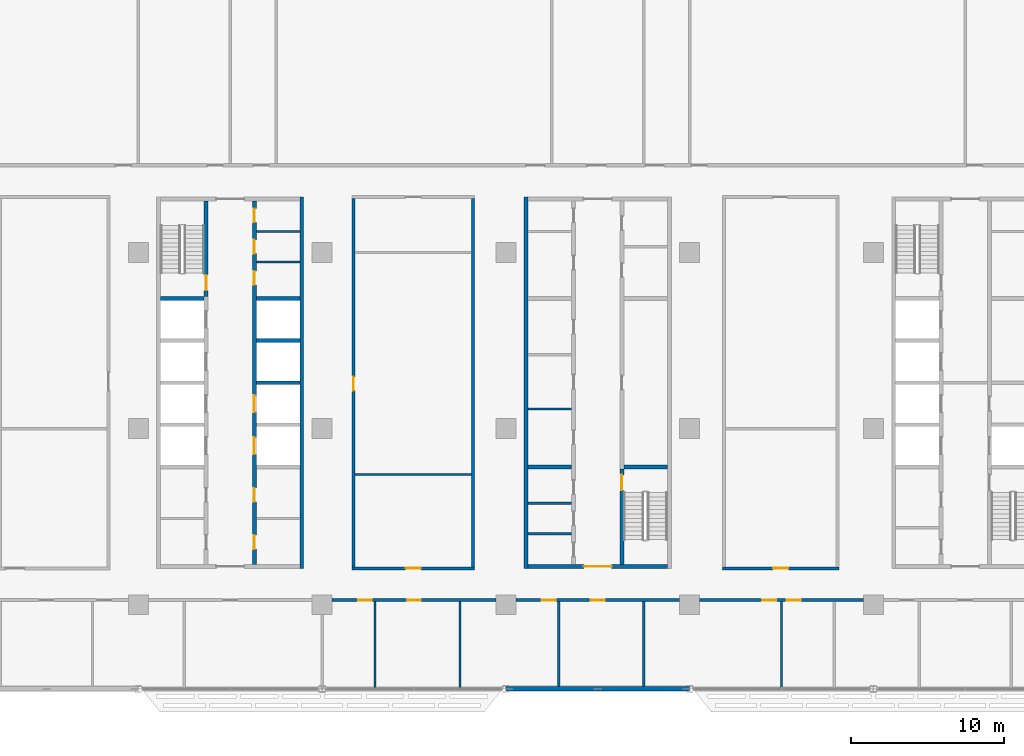
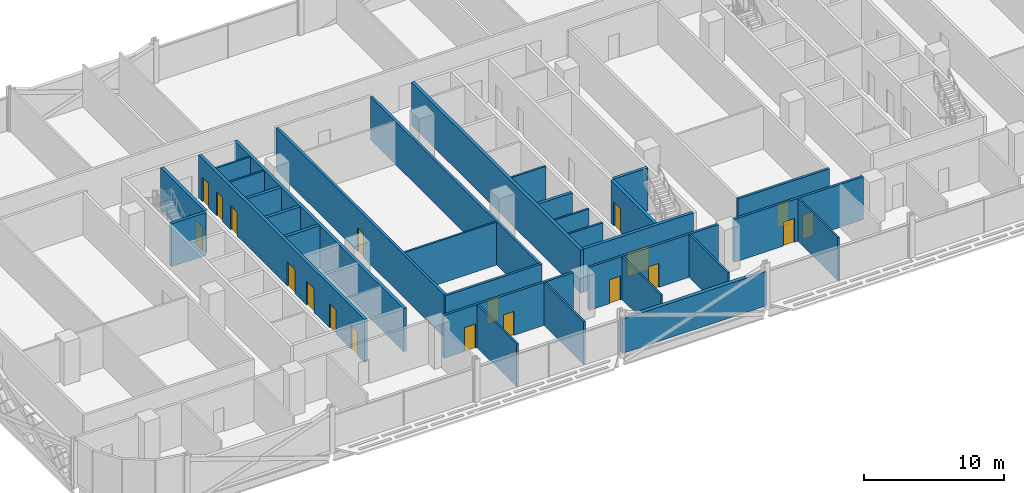
# One storey, part 14 of 29: 31 walls, 19 doors, 19 openings.
"""IFC4 building model written with IfcOpenShell, lengths in metres."""

from ifc_helpers import new_model, si_unit, direction, frame, frame_2d, origin, place, context, subcontext, project, spatial, rectangle, extrude, material, layer, layer_set, type_object, element, fill, save


model = new_model("IFC4")

# Units and contexts
model_context = context("Model", 3, precision=1e-05, world=origin(), true_north=direction((0.0, 1.0)))
body_context = subcontext(model_context, "Body", "Model", "MODEL_VIEW")
ifc_project = project(units=[si_unit("LENGTHUNIT", "METRE"), si_unit("AREAUNIT", "SQUARE_METRE"), si_unit("VOLUMEUNIT", "CUBIC_METRE"), si_unit("PLANEANGLEUNIT", "RADIAN"), si_unit("MASSUNIT", "GRAM", prefix="KILO")], contexts=[model_context])

# Site, building, storey
site_placement = place(None, origin())
site = spatial("IfcSite", under=ifc_project, at=site_placement, CompositionType="ELEMENT")
building_placement = place(site_placement, origin())
building = spatial("IfcBuilding", under=site, at=building_placement, Name="Mahtab Terrace Research Tower", CompositionType="ELEMENT")
storey_placement = place(building_placement, frame((0.0, 0.0, 146.60009765625)))
storey = spatial("IfcBuildingStorey", under=building, at=storey_placement, Name="L34", CompositionType="ELEMENT", Elevation=146.60009765625)

# Walls
ifc_material_1 = material(Name="Gypsum board partition")
ifc_layer_1 = layer(ifc_material_1, 0.14990234375)
ifc_layer_set_1 = layer_set([ifc_layer_1], Name="Core partition 150")
wall_type_1 = type_object("IfcWallType", Name="Core partition 150", PredefinedType="PARTITIONING", material=ifc_layer_set_1)
for number, where, z_axis, x_axis, name in (
    (1, (-22.300048828125, 10.875, 0.0), (0.0, 0.0, 1.0), (1.0, 0.0, 0.0), "Core wall A pEN788"),
    (2, (-22.300048828125, 12.875, 0.0), (0.0, 0.0, 1.0), (1.0, 0.0, 0.0), "Core wall A pEN988"),
    (3, (-4.550048828125, 1.280029296875, 0.0), (0.0, 0.0, 1.0), (1.0, 0.0, 0.0), "Core wall B pWL-172"),
    (4, (-4.550048828125, -6.875, 0.0), (0.0, 0.0, 1.0), (1.0, 0.0, 0.0), "Core wall B pWS-988"),
    (5, (-4.550048828125, -4.875, 0.0), (0.0, 0.0, 1.0), (1.0, 0.0, 0.0), "Core wall B pWS-788"),
):
    element("IfcWall", number, at=place(storey_placement, frame(where, z_axis=z_axis, x_axis=x_axis)), inside=storey, type_object=wall_type_1, Name=name, PredefinedType="PARTITIONING", context=body_context, shape_type="SweptSolid", body=[
        extrude(rectangle(XDim=2.85009765625, YDim=0.14990234375, at=frame_2d((1.425048828125, 0.0))), origin(), (0.0, 0.0, 1.0), 3.760009765625),
    ])
ifc_material_2 = material(Name="Concrete C70/85", Category="concrete")
ifc_layer_2 = layer(ifc_material_2, 0.25)
ifc_layer_set_2 = layer_set([ifc_layer_2], Name="Core wall 250")
wall_type_2 = type_object("IfcWallType", Name="Core wall 250", PredefinedType="SOLIDWALL", material=ifc_layer_set_2)
wall_1_placement = place(storey_placement, frame((-19.324951171875, -9.125, 0.0), z_axis=(0.0, 0.0, 1.0), x_axis=(0.0, 1.0, 0.0)))
element("IfcWall", 6, at=wall_1_placement, inside=storey, type_object=wall_type_2, Name="Core wall A outerE", PredefinedType="SOLIDWALL", context=body_context, shape_type="SweptSolid", body=[
    extrude(rectangle(XDim=24.25, YDim=0.25, at=frame_2d((12.125, 0.0))), origin(), (0.0, 0.0, 1.0), 3.760009765625),
])

# Wall, opening, door
wall_2_placement = place(storey_placement, frame((-25.574951171875, 14.875, 0.0), z_axis=(0.0, 0.0, 1.0), x_axis=(0.0, -1.0, 0.0)))
wall_2 = element("IfcWall", 7, at=wall_2_placement, inside=storey, type_object=wall_type_2, Name="Core wall A innerWN", PredefinedType="SOLIDWALL", context=body_context, shape_type="SweptSolid", body=[
    extrude(rectangle(XDim=6.25, YDim=0.25, at=frame_2d((3.125, 0.0))), origin(), (0.0, 0.0, 1.0), 3.760009765625),
])
opening_1_placement = place(wall_2_placement, frame((4.85009765625, 0.0, 0.0)))
opening_1 = element("IfcOpeningElement", 8, at=opening_1_placement, cuts=wall_2, Name="Opening A-ST1", PredefinedType="OPENING", context=body_context, shape_type="SweptSolid", body=[
    extrude(rectangle(XDim=1.0, YDim=2.10009765625, at=frame_2d((0.5, 1.050048828125))), frame((0.0, 0.135009765625, 0.0), z_axis=(0.0, -1.0, 0.0), x_axis=(1.0, 0.0, 0.0)), (0.0, 0.0, 1.0), 0.27001953125),
])
ifc_material_3 = material(Name="Steel fire door", Category="steel")
door_type_1 = type_object("IfcDoorType", Name="Stair door 1000x2100 1.5 HR", OperationType="NOTDEFINED", PredefinedType="DOOR", material=ifc_material_3)
door_1_placement = place(opening_1_placement, origin())
door_1 = element("IfcDoor", 9, at=door_1_placement, inside=storey, type_object=door_type_1, Name="Stair door ST1 L34", OperationType="SINGLE_SWING_RIGHT", OverallHeight=2.10009765625, OverallWidth=1.0, PredefinedType="DOOR", context=body_context, shape_type="SweptSolid", body=[
    extrude(rectangle(XDim=1.0, YDim=2.10009765625, at=frame_2d((0.5, 1.050048828125))), frame((0.0, 0.02490234375, 0.0), z_axis=(0.0, -1.0, 0.0), x_axis=(1.0, 0.0, 0.0)), (0.0, 0.0, 1.0), 0.050048828125),
])
fill(opening_1, door_1)

# Wall, openings, doors
wall_3_placement = place(storey_placement, frame((-22.425048828125, 14.875, 0.0), z_axis=(0.0, 0.0, 1.0), x_axis=(0.0, -1.0, 0.0)))
wall_3 = element("IfcWall", 10, at=wall_3_placement, inside=storey, type_object=wall_type_2, Name="Core wall A innerESLN", PredefinedType="SOLIDWALL", context=body_context, shape_type="SweptSolid", body=[
    extrude(rectangle(XDim=23.75, YDim=0.25, at=frame_2d((11.875, 0.0))), origin(), (0.0, 0.0, 1.0), 3.760009765625),
])
opening_2_placement = place(wall_3_placement, frame((15.449951171875, 0.0, 0.0)))
opening_2 = element("IfcOpeningElement", 11, at=opening_2_placement, cuts=wall_3, Name="Opening LD05-L34", PredefinedType="OPENING", context=body_context, shape_type="SweptSolid", body=[
    extrude(rectangle(XDim=1.10009765625, YDim=2.10009765625, at=frame_2d((0.550048828125, 1.050048828125))), frame((0.0, 0.135009765625, 0.0), z_axis=(0.0, -1.0, 0.0), x_axis=(1.0, 0.0, 0.0)), (0.0, 0.0, 1.0), 0.27001953125),
])
opening_3_placement = place(wall_3_placement, frame((12.699951171875, 0.0, 0.0)))
opening_3 = element("IfcOpeningElement", 12, at=opening_3_placement, cuts=wall_3, Name="Opening LD06-L34", PredefinedType="OPENING", context=body_context, shape_type="SweptSolid", body=[
    extrude(rectangle(XDim=1.10009765625, YDim=2.10009765625, at=frame_2d((0.550048828125, 1.050048828125))), frame((0.0, 0.135009765625, 0.0), z_axis=(0.0, -1.0, 0.0), x_axis=(1.0, 0.0, 0.0)), (0.0, 0.0, 1.0), 0.27001953125),
])
opening_4_placement = place(wall_3_placement, frame((21.83740234375, 0.0, 0.0)))
opening_4 = element("IfcOpeningElement", 13, at=opening_4_placement, cuts=wall_3, Name="Opening A-R3", PredefinedType="OPENING", context=body_context, shape_type="SweptSolid", body=[
    extrude(rectangle(XDim=0.89990234375, YDim=2.10009765625, at=frame_2d((0.449951171875, 1.050048828125))), frame((0.0, 0.135009765625, 0.0), z_axis=(0.0, -1.0, 0.0), x_axis=(1.0, 0.0, 0.0)), (0.0, 0.0, 1.0), 0.27001953125),
])
opening_5_placement = place(wall_3_placement, frame((18.762451171875, 0.0, 0.0)))
opening_5 = element("IfcOpeningElement", 14, at=opening_5_placement, cuts=wall_3, Name="Opening A-R4", PredefinedType="OPENING", context=body_context, shape_type="SweptSolid", body=[
    extrude(rectangle(XDim=0.89990234375, YDim=2.10009765625, at=frame_2d((0.449951171875, 1.050048828125))), frame((0.0, 0.135009765625, 0.0), z_axis=(0.0, -1.0, 0.0), x_axis=(1.0, 0.0, 0.0)), (0.0, 0.0, 1.0), 0.27001953125),
])
opening_6_placement = place(wall_3_placement, frame((4.58740234375, 0.0, 0.0)))
opening_6 = element("IfcOpeningElement", 15, at=opening_6_placement, cuts=wall_3, Name="Opening A-R5", PredefinedType="OPENING", context=body_context, shape_type="SweptSolid", body=[
    extrude(rectangle(XDim=0.89990234375, YDim=2.10009765625, at=frame_2d((0.449951171875, 1.050048828125))), frame((0.0, 0.135009765625, 0.0), z_axis=(0.0, -1.0, 0.0), x_axis=(1.0, 0.0, 0.0)), (0.0, 0.0, 1.0), 0.27001953125),
])
opening_7_placement = place(wall_3_placement, frame((2.550048828125, 0.0, 0.0)))
opening_7 = element("IfcOpeningElement", 16, at=opening_7_placement, cuts=wall_3, Name="Opening A-R6", PredefinedType="OPENING", context=body_context, shape_type="SweptSolid", body=[
    extrude(rectangle(XDim=0.89990234375, YDim=2.10009765625, at=frame_2d((0.449951171875, 1.050048828125))), frame((0.0, 0.135009765625, 0.0), z_axis=(0.0, -1.0, 0.0), x_axis=(1.0, 0.0, 0.0)), (0.0, 0.0, 1.0), 0.27001953125),
])
opening_8_placement = place(wall_3_placement, frame((0.512451171875, 0.0, 0.0)))
opening_8 = element("IfcOpeningElement", 17, at=opening_8_placement, cuts=wall_3, Name="Opening A-R7", PredefinedType="OPENING", context=body_context, shape_type="SweptSolid", body=[
    extrude(rectangle(XDim=0.89990234375, YDim=2.10009765625, at=frame_2d((0.449951171875, 1.050048828125))), frame((0.0, 0.135009765625, 0.0), z_axis=(0.0, -1.0, 0.0), x_axis=(1.0, 0.0, 0.0)), (0.0, 0.0, 1.0), 0.27001953125),
])
ifc_material_4 = material(Name="Stainless steel AISI 304", Category="steel")
door_type_2 = type_object("IfcDoorType", Name="Landing door 1100x2100", OperationType="DOUBLE_DOOR_SLIDING", PredefinedType="DOOR", material=ifc_material_4)
door_2_placement = place(opening_2_placement, origin())
door_2 = element("IfcDoor", 18, at=door_2_placement, inside=storey, type_object=door_type_2, Name="Landing door LR5 L34", OperationType="DOUBLE_DOOR_SLIDING", OverallHeight=2.10009765625, OverallWidth=1.10009765625, PredefinedType="DOOR", context=body_context, shape_type="SweptSolid", body=[
    extrude(rectangle(XDim=1.10009765625, YDim=2.10009765625, at=frame_2d((0.550048828125, 1.050048828125))), frame((0.0, 0.02490234375, 0.0), z_axis=(0.0, -1.0, 0.0), x_axis=(1.0, 0.0, 0.0)), (0.0, 0.0, 1.0), 0.050048828125),
])
fill(opening_2, door_2)
door_3_placement = place(opening_3_placement, origin())
door_3 = element("IfcDoor", 19, at=door_3_placement, inside=storey, type_object=door_type_2, Name="Landing door LR6 L34", OperationType="DOUBLE_DOOR_SLIDING", OverallHeight=2.10009765625, OverallWidth=1.10009765625, PredefinedType="DOOR", context=body_context, shape_type="SweptSolid", body=[
    extrude(rectangle(XDim=1.10009765625, YDim=2.10009765625, at=frame_2d((0.550048828125, 1.050048828125))), frame((0.0, 0.02490234375, 0.0), z_axis=(0.0, -1.0, 0.0), x_axis=(1.0, 0.0, 0.0)), (0.0, 0.0, 1.0), 0.050048828125),
])
fill(opening_3, door_3)
door_type_3 = type_object("IfcDoorType", Name="Room door 900x2100 1 HR", OperationType="NOTDEFINED", PredefinedType="DOOR", material=ifc_material_3)
door_4_placement = place(opening_4_placement, origin())
door_4 = element("IfcDoor", 20, at=door_4_placement, inside=storey, type_object=door_type_3, Name="Housekeeping store door", OperationType="SINGLE_SWING_LEFT", OverallHeight=2.10009765625, OverallWidth=0.89990234375, PredefinedType="DOOR", context=body_context, shape_type="SweptSolid", body=[
    extrude(rectangle(XDim=0.89990234375, YDim=2.10009765625, at=frame_2d((0.449951171875, 1.050048828125))), frame((0.0, 0.02490234375, 0.0), z_axis=(0.0, -1.0, 0.0), x_axis=(1.0, 0.0, 0.0)), (0.0, 0.0, 1.0), 0.050048828125),
])
fill(opening_4, door_4)
door_5_placement = place(opening_5_placement, origin())
door_5 = element("IfcDoor", 21, at=door_5_placement, inside=storey, type_object=door_type_3, Name="Electrical riser room door", OperationType="SINGLE_SWING_RIGHT", OverallHeight=2.10009765625, OverallWidth=0.89990234375, PredefinedType="DOOR", context=body_context, shape_type="SweptSolid", body=[
    extrude(rectangle(XDim=0.89990234375, YDim=2.10009765625, at=frame_2d((0.449951171875, 1.050048828125))), frame((0.0, 0.02490234375, 0.0), z_axis=(0.0, -1.0, 0.0), x_axis=(1.0, 0.0, 0.0)), (0.0, 0.0, 1.0), 0.050048828125),
])
fill(opening_5, door_5)
door_6_placement = place(opening_6_placement, origin())
door_6 = element("IfcDoor", 22, at=door_6_placement, inside=storey, type_object=door_type_3, Name="Comms riser room door", OperationType="SINGLE_SWING_LEFT", OverallHeight=2.10009765625, OverallWidth=0.89990234375, PredefinedType="DOOR", context=body_context, shape_type="SweptSolid", body=[
    extrude(rectangle(XDim=0.89990234375, YDim=2.10009765625, at=frame_2d((0.449951171875, 1.050048828125))), frame((0.0, 0.02490234375, 0.0), z_axis=(0.0, -1.0, 0.0), x_axis=(1.0, 0.0, 0.0)), (0.0, 0.0, 1.0), 0.050048828125),
])
fill(opening_6, door_6)
door_7_placement = place(opening_7_placement, origin())
door_7 = element("IfcDoor", 23, at=door_7_placement, inside=storey, type_object=door_type_3, Name="Pantry door", OperationType="SINGLE_SWING_RIGHT", OverallHeight=2.10009765625, OverallWidth=0.89990234375, PredefinedType="DOOR", context=body_context, shape_type="SweptSolid", body=[
    extrude(rectangle(XDim=0.89990234375, YDim=2.10009765625, at=frame_2d((0.449951171875, 1.050048828125))), frame((0.0, 0.02490234375, 0.0), z_axis=(0.0, -1.0, 0.0), x_axis=(1.0, 0.0, 0.0)), (0.0, 0.0, 1.0), 0.050048828125),
])
fill(opening_7, door_7)
door_8_placement = place(opening_8_placement, origin())
door_8 = element("IfcDoor", 24, at=door_8_placement, inside=storey, type_object=door_type_3, Name="Cleaners store door", OperationType="SINGLE_SWING_LEFT", OverallHeight=2.10009765625, OverallWidth=0.89990234375, PredefinedType="DOOR", context=body_context, shape_type="SweptSolid", body=[
    extrude(rectangle(XDim=0.89990234375, YDim=2.10009765625, at=frame_2d((0.449951171875, 1.050048828125))), frame((0.0, 0.02490234375, 0.0), z_axis=(0.0, -1.0, 0.0), x_axis=(1.0, 0.0, 0.0)), (0.0, 0.0, 1.0), 0.050048828125),
])
fill(opening_8, door_8)

# Walls
for number, where, z_axis, x_axis, name in (
    (25, (-28.550048828125, 8.5, 0.0), (0.0, 0.0, 1.0), (1.0, 0.0, 0.0), "Core wall A divW4"),
    (26, (-22.300048828125, 3.0, 0.0), (0.0, 0.0, 1.0), (1.0, 0.0, 0.0), "Core wall A divE2"),
    (27, (-22.300048828125, 5.75, 0.0), (0.0, 0.0, 1.0), (1.0, 0.0, 0.0), "Core wall A divE3"),
    (28, (-22.300048828125, 8.5, 0.0), (0.0, 0.0, 1.0), (1.0, 0.0, 0.0), "Core wall A divE4"),
):
    element("IfcWall", number, at=place(storey_placement, frame(where, z_axis=z_axis, x_axis=x_axis)), inside=storey, type_object=wall_type_2, Name=name, PredefinedType="SOLIDWALL", context=body_context, shape_type="SweptSolid", body=[
        extrude(rectangle(XDim=2.85009765625, YDim=0.25, at=frame_2d((1.425048828125, 0.0))), origin(), (0.0, 0.0, 1.0), 3.760009765625),
    ])
wall_4_placement = place(storey_placement, frame((-4.675048828125, 15.125, 0.0), z_axis=(0.0, 0.0, 1.0), x_axis=(0.0, -1.0, 0.0)))
element("IfcWall", 29, at=wall_4_placement, inside=storey, type_object=wall_type_2, Name="Core wall B outerW", PredefinedType="SOLIDWALL", context=body_context, shape_type="SweptSolid", body=[
    extrude(rectangle(XDim=24.25, YDim=0.25, at=frame_2d((12.125, 0.0))), origin(), (0.0, 0.0, 1.0), 3.760009765625),
])

# Wall, opening, door
wall_5_placement = place(storey_placement, frame((4.550048828125, -9.0, 0.0), z_axis=(0.0, 0.0, 1.0), x_axis=(-1.0, 0.0, 0.0)))
wall_5 = element("IfcWall", 30, at=wall_5_placement, inside=storey, type_object=wall_type_2, Name="Core wall B endS", PredefinedType="SOLIDWALL", context=body_context, shape_type="SweptSolid", body=[
    extrude(rectangle(XDim=9.10009765625, YDim=0.25, at=frame_2d((4.550048828125, 0.0))), origin(), (0.0, 0.0, 1.0), 3.760009765625),
])
opening_9_placement = place(wall_5_placement, frame((3.64990234375, 0.0, 0.0)))
opening_9 = element("IfcOpeningElement", 31, at=opening_9_placement, cuts=wall_5, Name="Opening B-S1", PredefinedType="OPENING", context=body_context, shape_type="SweptSolid", body=[
    extrude(rectangle(XDim=1.800048828125, YDim=2.10009765625, at=frame_2d((0.89990234375, 1.050048828125))), frame((0.0, 0.135009765625, 0.0), z_axis=(0.0, -1.0, 0.0), x_axis=(1.0, 0.0, 0.0)), (0.0, 0.0, 1.0), 0.27001953125),
])
door_type_4 = type_object("IfcDoorType", Name="Lobby double door 1800x2100 1 HR", OperationType="DOUBLE_DOOR_SINGLE_SWING", PredefinedType="DOOR", material=ifc_material_3)
door_9_placement = place(opening_9_placement, origin())
door_9 = element("IfcDoor", 32, at=door_9_placement, inside=storey, type_object=door_type_4, Name="Core entrance door B S", OperationType="DOUBLE_DOOR_SINGLE_SWING", OverallHeight=2.10009765625, OverallWidth=1.800048828125, PredefinedType="DOOR", context=body_context, shape_type="SweptSolid", body=[
    extrude(rectangle(XDim=1.800048828125, YDim=2.10009765625, at=frame_2d((0.89990234375, 1.050048828125))), frame((0.0, 0.02490234375, 0.0), z_axis=(0.0, -1.0, 0.0), x_axis=(1.0, 0.0, 0.0)), (0.0, 0.0, 1.0), 0.050048828125),
])
fill(opening_9, door_9)

wall_6_placement = place(storey_placement, frame((1.574951171875, -8.875, 0.0), z_axis=(0.0, 0.0, 1.0), x_axis=(0.0, 1.0, 0.0)))
wall_6 = element("IfcWall", 33, at=wall_6_placement, inside=storey, type_object=wall_type_2, Name="Core wall B innerES", PredefinedType="SOLIDWALL", context=body_context, shape_type="SweptSolid", body=[
    extrude(rectangle(XDim=6.25, YDim=0.25, at=frame_2d((3.125, 0.0))), origin(), (0.0, 0.0, 1.0), 3.760009765625),
])
opening_10_placement = place(wall_6_placement, frame((4.85009765625, 0.0, 0.0)))
opening_10 = element("IfcOpeningElement", 34, at=opening_10_placement, cuts=wall_6, Name="Opening B-ST2", PredefinedType="OPENING", context=body_context, shape_type="SweptSolid", body=[
    extrude(rectangle(XDim=1.0, YDim=2.10009765625, at=frame_2d((0.5, 1.050048828125))), frame((0.0, 0.135009765625, 0.0), z_axis=(0.0, -1.0, 0.0), x_axis=(1.0, 0.0, 0.0)), (0.0, 0.0, 1.0), 0.27001953125),
])
door_10_placement = place(opening_10_placement, origin())
door_10 = element("IfcDoor", 35, at=door_10_placement, inside=storey, type_object=door_type_1, Name="Stair door ST2 L34", OperationType="SINGLE_SWING_RIGHT", OverallHeight=2.10009765625, OverallWidth=1.0, PredefinedType="DOOR", context=body_context, shape_type="SweptSolid", body=[
    extrude(rectangle(XDim=1.0, YDim=2.10009765625, at=frame_2d((0.5, 1.050048828125))), frame((0.0, 0.02490234375, 0.0), z_axis=(0.0, -1.0, 0.0), x_axis=(1.0, 0.0, 0.0)), (0.0, 0.0, 1.0), 0.050048828125),
])
fill(opening_10, door_10)

# Walls
for number, where, z_axis, x_axis, name in (
    (36, (-4.550048828125, -2.5, 0.0), (0.0, 0.0, 1.0), (1.0, 0.0, 0.0), "Core wall B divW0"),
    (37, (1.699951171875, -2.5, 0.0), (0.0, 0.0, 1.0), (1.0, 0.0, 0.0), "Core wall B divE0"),
):
    element("IfcWall", number, at=place(storey_placement, frame(where, z_axis=z_axis, x_axis=x_axis)), inside=storey, type_object=wall_type_2, Name=name, PredefinedType="SOLIDWALL", context=body_context, shape_type="SweptSolid", body=[
        extrude(rectangle(XDim=2.85009765625, YDim=0.25, at=frame_2d((1.425048828125, 0.0))), origin(), (0.0, 0.0, 1.0), 3.760009765625),
    ])
ifc_material_5 = material(Name="Black aluminium cladding panel", Category="aluminium")
ifc_layer_3 = layer(ifc_material_5, 0.300048828125)
ifc_layer_set_3 = layer_set([ifc_layer_3], Name="Opaque facade wall 300")
wall_type_3 = type_object("IfcWallType", Name="Opaque facade wall 300", PredefinedType="NOTDEFINED", material=ifc_layer_set_3)
wall_7_placement = place(storey_placement, frame((-5.982177734375, -17.0, 0.0), z_axis=(0.0, 0.0, 1.0), x_axis=(1.0, 0.0, 0.0)))
element("IfcWall", 38, at=wall_7_placement, inside=storey, type_object=wall_type_3, Name="Opaque facade wall L34 S27", PredefinedType="NOTDEFINED", context=body_context, shape_type="SweptSolid", body=[
    extrude(rectangle(XDim=11.96435546875, YDim=0.300048828125, at=frame_2d((5.982177734375, 0.0))), origin(), (0.0, 0.0, 1.0), 3.0029296875),
])

# Wall, openings, doors
ifc_material_6 = material(Name="Gypsum board corridor wall on steel studs", Category="steel")
ifc_layer_4 = layer(ifc_material_6, 0.199951171875)
ifc_layer_set_4 = layer_set([ifc_layer_4], Name="WALL CORRIDOR 200")
wall_type_4 = type_object("IfcWallType", Name="WALL CORRIDOR 200", PredefinedType="PARTITIONING", material=ifc_layer_set_4)
wall_8_placement = place(storey_placement, frame((-17.35009765625, -11.199951171875, 0.0), z_axis=(0.0, 0.0, 1.0), x_axis=(1.0, 0.0, 0.0)))
wall_8 = element("IfcWall", 39, at=wall_8_placement, inside=storey, type_object=wall_type_4, Name="L34-W004", PredefinedType="PARTITIONING", context=body_context, shape_type="SweptSolid", body=[
    extrude(rectangle(XDim=10.7001953125, YDim=0.199951171875, at=frame_2d((5.35009765625, 0.0))), origin(), (0.0, 0.0, 1.0), 3.760009765625),
])
opening_11_placement = place(wall_8_placement, frame((1.699951171875, 0.0, 0.0)))
opening_11 = element("IfcOpeningElement", 40, at=opening_11_placement, cuts=wall_8, Name="Opening L34-105", PredefinedType="OPENING", context=body_context, shape_type="SweptSolid", body=[
    extrude(rectangle(XDim=0.89990234375, YDim=2.10009765625, at=frame_2d((0.449951171875, 1.050048828125))), frame((0.0, 0.10986328125, 0.0), z_axis=(0.0, -1.0, 0.0), x_axis=(1.0, 0.0, 0.0)), (0.0, 0.0, 1.0), 0.219970703125),
])
opening_12_placement = place(wall_8_placement, frame((4.89990234375, 0.0, 0.0)))
opening_12 = element("IfcOpeningElement", 41, at=opening_12_placement, cuts=wall_8, Name="Opening L34-106", PredefinedType="OPENING", context=body_context, shape_type="SweptSolid", body=[
    extrude(rectangle(XDim=0.89990234375, YDim=2.10009765625, at=frame_2d((0.449951171875, 1.050048828125))), frame((0.0, 0.10986328125, 0.0), z_axis=(0.0, -1.0, 0.0), x_axis=(1.0, 0.0, 0.0)), (0.0, 0.0, 1.0), 0.219970703125),
])
ifc_material_7 = material(Name="Timber door leaf in steel frame", Category="steel")
door_type_5 = type_object("IfcDoorType", Name="DOOR 0900X2100 FD30S", OperationType="SINGLE_SWING_LEFT", PredefinedType="DOOR", material=ifc_material_7)
door_11_placement = place(opening_11_placement, origin())
door_11 = element("IfcDoor", 42, at=door_11_placement, inside=storey, type_object=door_type_5, Name="Door L34-105", OperationType="SINGLE_SWING_RIGHT", OverallHeight=2.10009765625, OverallWidth=0.89990234375, PredefinedType="DOOR", context=body_context, shape_type="SweptSolid", body=[
    extrude(rectangle(XDim=0.89990234375, YDim=2.10009765625, at=frame_2d((0.449951171875, 1.050048828125))), frame((0.0, 0.02490234375, 0.0), z_axis=(0.0, -1.0, 0.0), x_axis=(1.0, 0.0, 0.0)), (0.0, 0.0, 1.0), 0.050048828125),
])
fill(opening_11, door_11)
door_12_placement = place(opening_12_placement, origin())
door_12 = element("IfcDoor", 43, at=door_12_placement, inside=storey, type_object=door_type_5, Name="Door L34-106", OperationType="SINGLE_SWING_LEFT", OverallHeight=2.10009765625, OverallWidth=0.89990234375, PredefinedType="DOOR", context=body_context, shape_type="SweptSolid", body=[
    extrude(rectangle(XDim=0.89990234375, YDim=2.10009765625, at=frame_2d((0.449951171875, 1.050048828125))), frame((0.0, 0.02490234375, 0.0), z_axis=(0.0, -1.0, 0.0), x_axis=(1.0, 0.0, 0.0)), (0.0, 0.0, 1.0), 0.050048828125),
])
fill(opening_12, door_12)

wall_9_placement = place(storey_placement, frame((-5.35009765625, -11.199951171875, 0.0), z_axis=(0.0, 0.0, 1.0), x_axis=(1.0, 0.0, 0.0)))
wall_9 = element("IfcWall", 44, at=wall_9_placement, inside=storey, type_object=wall_type_4, Name="L34-W005", PredefinedType="PARTITIONING", context=body_context, shape_type="SweptSolid", body=[
    extrude(rectangle(XDim=10.7001953125, YDim=0.199951171875, at=frame_2d((5.35009765625, 0.0))), origin(), (0.0, 0.0, 1.0), 3.760009765625),
])
opening_13_placement = place(wall_9_placement, frame((1.699951171875, 0.0, 0.0)))
opening_13 = element("IfcOpeningElement", 45, at=opening_13_placement, cuts=wall_9, Name="Opening L34-107", PredefinedType="OPENING", context=body_context, shape_type="SweptSolid", body=[
    extrude(rectangle(XDim=0.89990234375, YDim=2.10009765625, at=frame_2d((0.449951171875, 1.050048828125))), frame((0.0, 0.10986328125, 0.0), z_axis=(0.0, -1.0, 0.0), x_axis=(1.0, 0.0, 0.0)), (0.0, 0.0, 1.0), 0.219970703125),
])
opening_14_placement = place(wall_9_placement, frame((4.89990234375, 0.0, 0.0)))
opening_14 = element("IfcOpeningElement", 46, at=opening_14_placement, cuts=wall_9, Name="Opening L34-108", PredefinedType="OPENING", context=body_context, shape_type="SweptSolid", body=[
    extrude(rectangle(XDim=0.89990234375, YDim=2.10009765625, at=frame_2d((0.449951171875, 1.050048828125))), frame((0.0, 0.10986328125, 0.0), z_axis=(0.0, -1.0, 0.0), x_axis=(1.0, 0.0, 0.0)), (0.0, 0.0, 1.0), 0.219970703125),
])
door_13_placement = place(opening_13_placement, origin())
door_13 = element("IfcDoor", 47, at=door_13_placement, inside=storey, type_object=door_type_5, Name="Door L34-107", OperationType="SINGLE_SWING_RIGHT", OverallHeight=2.10009765625, OverallWidth=0.89990234375, PredefinedType="DOOR", context=body_context, shape_type="SweptSolid", body=[
    extrude(rectangle(XDim=0.89990234375, YDim=2.10009765625, at=frame_2d((0.449951171875, 1.050048828125))), frame((0.0, 0.02490234375, 0.0), z_axis=(0.0, -1.0, 0.0), x_axis=(1.0, 0.0, 0.0)), (0.0, 0.0, 1.0), 0.050048828125),
])
fill(opening_13, door_13)
door_14_placement = place(opening_14_placement, origin())
door_14 = element("IfcDoor", 48, at=door_14_placement, inside=storey, type_object=door_type_5, Name="Door L34-108", OperationType="SINGLE_SWING_LEFT", OverallHeight=2.10009765625, OverallWidth=0.89990234375, PredefinedType="DOOR", context=body_context, shape_type="SweptSolid", body=[
    extrude(rectangle(XDim=0.89990234375, YDim=2.10009765625, at=frame_2d((0.449951171875, 1.050048828125))), frame((0.0, 0.02490234375, 0.0), z_axis=(0.0, -1.0, 0.0), x_axis=(1.0, 0.0, 0.0)), (0.0, 0.0, 1.0), 0.050048828125),
])
fill(opening_14, door_14)

wall_10_placement = place(storey_placement, frame((6.64990234375, -11.199951171875, 0.0), z_axis=(0.0, 0.0, 1.0), x_axis=(1.0, 0.0, 0.0)))
wall_10 = element("IfcWall", 49, at=wall_10_placement, inside=storey, type_object=wall_type_4, Name="L34-W006", PredefinedType="PARTITIONING", context=body_context, shape_type="SweptSolid", body=[
    extrude(rectangle(XDim=10.7001953125, YDim=0.199951171875, at=frame_2d((5.35009765625, 0.0))), origin(), (0.0, 0.0, 1.0), 3.760009765625),
])
opening_15_placement = place(wall_10_placement, frame((4.10009765625, 0.0, 0.0)))
opening_15 = element("IfcOpeningElement", 50, at=opening_15_placement, cuts=wall_10, Name="Opening L34-109", PredefinedType="OPENING", context=body_context, shape_type="SweptSolid", body=[
    extrude(rectangle(XDim=0.89990234375, YDim=2.10009765625, at=frame_2d((0.449951171875, 1.050048828125))), frame((0.0, 0.10986328125, 0.0), z_axis=(0.0, -1.0, 0.0), x_axis=(1.0, 0.0, 0.0)), (0.0, 0.0, 1.0), 0.219970703125),
])
opening_16_placement = place(wall_10_placement, frame((5.699951171875, 0.0, 0.0)))
opening_16 = element("IfcOpeningElement", 51, at=opening_16_placement, cuts=wall_10, Name="Opening L34-110", PredefinedType="OPENING", context=body_context, shape_type="SweptSolid", body=[
    extrude(rectangle(XDim=0.89990234375, YDim=2.10009765625, at=frame_2d((0.449951171875, 1.050048828125))), frame((0.0, 0.10986328125, 0.0), z_axis=(0.0, -1.0, 0.0), x_axis=(1.0, 0.0, 0.0)), (0.0, 0.0, 1.0), 0.219970703125),
])
door_15_placement = place(opening_15_placement, origin())
door_15 = element("IfcDoor", 52, at=door_15_placement, inside=storey, type_object=door_type_5, Name="Door L34-109", OperationType="SINGLE_SWING_RIGHT", OverallHeight=2.10009765625, OverallWidth=0.89990234375, PredefinedType="DOOR", context=body_context, shape_type="SweptSolid", body=[
    extrude(rectangle(XDim=0.89990234375, YDim=2.10009765625, at=frame_2d((0.449951171875, 1.050048828125))), frame((0.0, 0.02490234375, 0.0), z_axis=(0.0, -1.0, 0.0), x_axis=(1.0, 0.0, 0.0)), (0.0, 0.0, 1.0), 0.050048828125),
])
fill(opening_15, door_15)
door_16_placement = place(opening_16_placement, origin())
door_16 = element("IfcDoor", 53, at=door_16_placement, inside=storey, type_object=door_type_5, Name="Door L34-110", OperationType="SINGLE_SWING_LEFT", OverallHeight=2.10009765625, OverallWidth=0.89990234375, PredefinedType="DOOR", context=body_context, shape_type="SweptSolid", body=[
    extrude(rectangle(XDim=0.89990234375, YDim=2.10009765625, at=frame_2d((0.449951171875, 1.050048828125))), frame((0.0, 0.02490234375, 0.0), z_axis=(0.0, -1.0, 0.0), x_axis=(1.0, 0.0, 0.0)), (0.0, 0.0, 1.0), 0.050048828125),
])
fill(opening_16, door_16)

# Wall, opening, door
wall_11_placement = place(storey_placement, frame((-16.050048828125, -9.125, 0.0), z_axis=(0.0, 0.0, 1.0), x_axis=(1.0, 0.0, 0.0)))
wall_11 = element("IfcWall", 54, at=wall_11_placement, inside=storey, type_object=wall_type_4, Name="L34-W011", PredefinedType="PARTITIONING", context=body_context, shape_type="SweptSolid", body=[
    extrude(rectangle(XDim=8.0, YDim=0.199951171875, at=frame_2d((4.0, 0.0))), origin(), (0.0, 0.0, 1.0), 3.760009765625),
])
opening_17_placement = place(wall_11_placement, frame((3.5, 0.0, 0.0)))
opening_17 = element("IfcOpeningElement", 55, at=opening_17_placement, cuts=wall_11, Name="Opening L34-116", PredefinedType="OPENING", context=body_context, shape_type="SweptSolid", body=[
    extrude(rectangle(XDim=1.0, YDim=2.10009765625, at=frame_2d((0.5, 1.050048828125))), frame((0.0, 0.10986328125, 0.0), z_axis=(0.0, -1.0, 0.0), x_axis=(1.0, 0.0, 0.0)), (0.0, 0.0, 1.0), 0.219970703125),
])
door_type_6 = type_object("IfcDoorType", Name="DOOR 1000X2100 FD30S", OperationType="SINGLE_SWING_LEFT", PredefinedType="DOOR", material=ifc_material_7)
door_17_placement = place(opening_17_placement, origin())
door_17 = element("IfcDoor", 56, at=door_17_placement, inside=storey, type_object=door_type_6, Name="Door L34-116", OperationType="SINGLE_SWING_LEFT", OverallHeight=2.10009765625, OverallWidth=1.0, PredefinedType="DOOR", context=body_context, shape_type="SweptSolid", body=[
    extrude(rectangle(XDim=1.0, YDim=2.10009765625, at=frame_2d((0.5, 1.050048828125))), frame((0.0, 0.02490234375, 0.0), z_axis=(0.0, -1.0, 0.0), x_axis=(1.0, 0.0, 0.0)), (0.0, 0.0, 1.0), 0.050048828125),
])
fill(opening_17, door_17)

wall_12_placement = place(storey_placement, frame((8.14990234375, -9.125, 0.0), z_axis=(0.0, 0.0, 1.0), x_axis=(1.0, 0.0, 0.0)))
wall_12 = element("IfcWall", 57, at=wall_12_placement, inside=storey, type_object=wall_type_4, Name="L34-W012", PredefinedType="PARTITIONING", context=body_context, shape_type="SweptSolid", body=[
    extrude(rectangle(XDim=7.60009765625, YDim=0.199951171875, at=frame_2d((3.800048828125, 0.0))), origin(), (0.0, 0.0, 1.0), 3.760009765625),
])
opening_18_placement = place(wall_12_placement, frame((3.300048828125, 0.0, 0.0)))
opening_18 = element("IfcOpeningElement", 58, at=opening_18_placement, cuts=wall_12, Name="Opening L34-121", PredefinedType="OPENING", context=body_context, shape_type="SweptSolid", body=[
    extrude(rectangle(XDim=1.0, YDim=2.10009765625, at=frame_2d((0.5, 1.050048828125))), frame((0.0, 0.10986328125, 0.0), z_axis=(0.0, -1.0, 0.0), x_axis=(1.0, 0.0, 0.0)), (0.0, 0.0, 1.0), 0.219970703125),
])
door_18_placement = place(opening_18_placement, origin())
door_18 = element("IfcDoor", 59, at=door_18_placement, inside=storey, type_object=door_type_6, Name="Door L34-121", OperationType="SINGLE_SWING_RIGHT", OverallHeight=2.10009765625, OverallWidth=1.0, PredefinedType="DOOR", context=body_context, shape_type="SweptSolid", body=[
    extrude(rectangle(XDim=1.0, YDim=2.10009765625, at=frame_2d((0.5, 1.050048828125))), frame((0.0, 0.02490234375, 0.0), z_axis=(0.0, -1.0, 0.0), x_axis=(1.0, 0.0, 0.0)), (0.0, 0.0, 1.0), 0.050048828125),
])
fill(opening_18, door_18)

wall_13_placement = place(storey_placement, frame((-15.949951171875, -9.02490234375, 0.0), z_axis=(0.0, 0.0, 1.0), x_axis=(0.0, 1.0, 0.0)))
wall_13 = element("IfcWall", 60, at=wall_13_placement, inside=storey, type_object=wall_type_4, Name="L34-W037", PredefinedType="PARTITIONING", context=body_context, shape_type="SweptSolid", body=[
    extrude(rectangle(XDim=24.0498046875, YDim=0.199951171875, at=frame_2d((12.02490234375, 0.0))), origin(), (0.0, 0.0, 1.0), 3.760009765625),
])
opening_19_placement = place(wall_13_placement, frame((11.5, 0.0, 0.0)))
opening_19 = element("IfcOpeningElement", 61, at=opening_19_placement, cuts=wall_13, Name="Opening L34-122", PredefinedType="OPENING", context=body_context, shape_type="SweptSolid", body=[
    extrude(rectangle(XDim=0.89990234375, YDim=2.10009765625, at=frame_2d((0.449951171875, 1.050048828125))), frame((0.0, 0.10986328125, 0.0), z_axis=(0.0, -1.0, 0.0), x_axis=(1.0, 0.0, 0.0)), (0.0, 0.0, 1.0), 0.219970703125),
])
door_19_placement = place(opening_19_placement, origin())
door_19 = element("IfcDoor", 62, at=door_19_placement, inside=storey, type_object=door_type_5, Name="Door L34-122", OperationType="SINGLE_SWING_RIGHT", OverallHeight=2.10009765625, OverallWidth=0.89990234375, PredefinedType="DOOR", context=body_context, shape_type="SweptSolid", body=[
    extrude(rectangle(XDim=0.89990234375, YDim=2.10009765625, at=frame_2d((0.449951171875, 1.050048828125))), frame((0.0, 0.02490234375, 0.0), z_axis=(0.0, -1.0, 0.0), x_axis=(1.0, 0.0, 0.0)), (0.0, 0.0, 1.0), 0.050048828125),
])
fill(opening_19, door_19)

# Walls
wall_14_placement = place(storey_placement, frame((-8.14990234375, -9.02490234375, 0.0), z_axis=(0.0, 0.0, 1.0), x_axis=(0.0, 1.0, 0.0)))
element("IfcWall", 63, at=wall_14_placement, inside=storey, type_object=wall_type_4, Name="L34-W040", PredefinedType="PARTITIONING", context=body_context, shape_type="SweptSolid", body=[
    extrude(rectangle(XDim=24.0498046875, YDim=0.199951171875, at=frame_2d((12.02490234375, 0.0))), origin(), (0.0, 0.0, 1.0), 3.760009765625),
])
ifc_material_8 = material(Name="Gypsum board partition on steel studs", Category="steel")
ifc_layer_5 = layer(ifc_material_8, 0.14990234375)
ifc_layer_set_5 = layer_set([ifc_layer_5], Name="WALL PARTITION 150")
wall_type_5 = type_object("IfcWallType", Name="WALL PARTITION 150", PredefinedType="PARTITIONING", material=ifc_layer_set_5)
wall_15_placement = place(storey_placement, frame((-15.85009765625, -3.0, 0.0), z_axis=(0.0, 0.0, 1.0), x_axis=(1.0, 0.0, 0.0)))
element("IfcWall", 64, at=wall_15_placement, inside=storey, type_object=wall_type_5, Name="L34-W014", PredefinedType="PARTITIONING", context=body_context, shape_type="SweptSolid", body=[
    extrude(rectangle(XDim=7.60009765625, YDim=0.14990234375, at=frame_2d((3.800048828125, 0.0))), origin(), (0.0, 0.0, 1.0), 3.760009765625),
])
for number, where, z_axis, x_axis, name in (
    (65, (-14.550048828125, -16.97509765625, 0.0), (0.0, 0.0, 1.0), (0.0, 1.0, 0.0), "L34-W038"),
    (66, (-9.0, -16.97509765625, 0.0), (0.0, 0.0, 1.0), (0.0, 1.0, 0.0), "L34-W039"),
):
    element("IfcWall", number, at=place(storey_placement, frame(where, z_axis=z_axis, x_axis=x_axis)), inside=storey, type_object=wall_type_5, Name=name, PredefinedType="PARTITIONING", context=body_context, shape_type="SweptSolid", body=[
        extrude(rectangle(XDim=5.675048828125, YDim=0.14990234375, at=frame_2d((2.83740234375, 0.0))), origin(), (0.0, 0.0, 1.0), 3.760009765625),
    ])
for number, where, z_axis, x_axis, name in (
    (67, (-2.550048828125, -16.85009765625, 0.0), (0.0, 0.0, 1.0), (0.0, 1.0, 0.0), "L34-W042"),
    (68, (3.0, -16.85009765625, 0.0), (0.0, 0.0, 1.0), (0.0, 1.0, 0.0), "L34-W043"),
):
    element("IfcWall", number, at=place(storey_placement, frame(where, z_axis=z_axis, x_axis=x_axis)), inside=storey, type_object=wall_type_5, Name=name, PredefinedType="PARTITIONING", context=body_context, shape_type="SweptSolid", body=[
        extrude(rectangle(XDim=5.550048828125, YDim=0.14990234375, at=frame_2d((2.77490234375, 0.0))), origin(), (0.0, 0.0, 1.0), 3.760009765625),
    ])
wall_16_placement = place(storey_placement, frame((12.0, -16.97509765625, 0.0), z_axis=(0.0, 0.0, 1.0), x_axis=(0.0, 1.0, 0.0)))
element("IfcWall", 69, at=wall_16_placement, inside=storey, type_object=wall_type_5, Name="L34-W047", PredefinedType="PARTITIONING", context=body_context, shape_type="SweptSolid", body=[
    extrude(rectangle(XDim=5.675048828125, YDim=0.14990234375, at=frame_2d((2.83740234375, 0.0))), origin(), (0.0, 0.0, 1.0), 3.760009765625),
])

save(model, "model.ifc")
